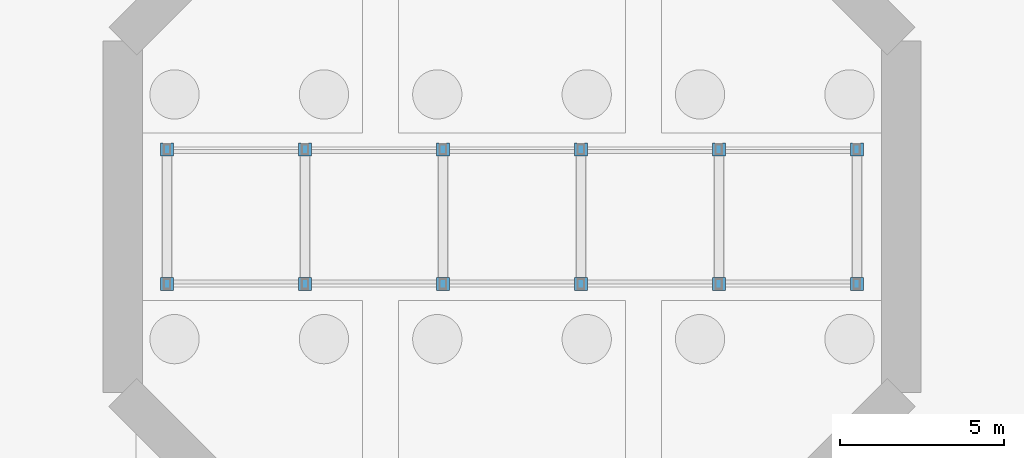
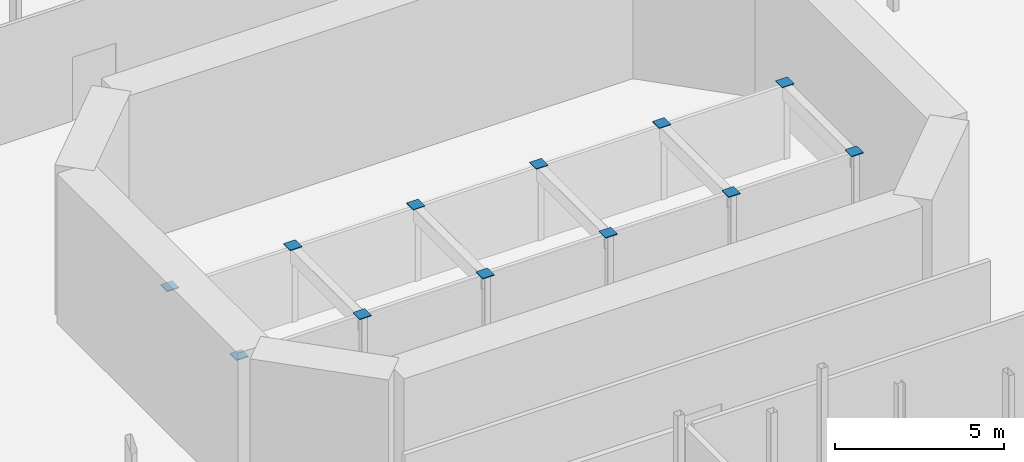
# One storey, part 27 of 33: 12 discrete accessories.
"""IFC4 building model written with IfcOpenShell, lengths in metres."""

from ifc_helpers import new_model, si_unit, direction, frame, origin, origin_2d, place, context, subcontext, project, spatial, rectangle, extrude, material, type_object, element, save


model = new_model("IFC4")

# Units and contexts
model_context = context("Model", 3, precision=1e-05, world=origin(), true_north=direction((0.0, 1.0)))
body_context = subcontext(model_context, "Body", "Model", "MODEL_VIEW")
ifc_project = project(units=[si_unit("LENGTHUNIT", "METRE"), si_unit("AREAUNIT", "SQUARE_METRE"), si_unit("VOLUMEUNIT", "CUBIC_METRE"), si_unit("PLANEANGLEUNIT", "RADIAN"), si_unit("MASSUNIT", "GRAM", prefix="KILO")], contexts=[model_context])

# Site, building, storey
site_placement = place(None, origin())
site = spatial("IfcSite", under=ifc_project, at=site_placement, CompositionType="ELEMENT")
building_placement = place(site_placement, origin())
building = spatial("IfcBuilding", under=site, at=building_placement, Name="Brisemont Oceanarium", CompositionType="ELEMENT")
storey_placement = place(building_placement, frame((0.0, 0.0, -5.39990234375)))
storey = spatial("IfcBuildingStorey", under=building, at=storey_placement, Name="B01", CompositionType="ELEMENT", Elevation=-5.39990234375)

# Discrete accessories
ifc_material = material(Name="Structural Steel ASTM A572 Gr.50", Category="steel")
discrete_accessory_type = type_object("IfcDiscreteAccessoryType", Name="ACC-CAP-STL", PredefinedType="ANCHORPLATE", material=ifc_material)
for number, where, z_axis, x_axis, name in (
    (1, (73.5, 53.949951171875, 2.6396484375), (0.0, 0.0, 1.0), (1.0, 0.0, 0.0), "Walkthrough tunnel portal post welded end cap 1S"),
    (2, (73.5, 58.050048828125, 2.6396484375), (0.0, 0.0, 1.0), (1.0, 0.0, 0.0), "Walkthrough tunnel portal post welded end cap 1N"),
    (3, (77.699951171875, 53.949951171875, 2.6396484375), (0.0, 0.0, 1.0), (1.0, 0.0, 0.0), "Walkthrough tunnel portal post welded end cap 2S"),
    (4, (77.699951171875, 58.050048828125, 2.6396484375), (0.0, 0.0, 1.0), (1.0, 0.0, 0.0), "Walkthrough tunnel portal post welded end cap 2N"),
    (5, (81.89990234375, 53.949951171875, 2.6396484375), (0.0, 0.0, 1.0), (1.0, 0.0, 0.0), "Walkthrough tunnel portal post welded end cap 3S"),
    (6, (81.89990234375, 58.050048828125, 2.6396484375), (0.0, 0.0, 1.0), (1.0, 0.0, 0.0), "Walkthrough tunnel portal post welded end cap 3N"),
    (7, (86.10009765625, 53.949951171875, 2.6396484375), (0.0, 0.0, 1.0), (1.0, 0.0, 0.0), "Walkthrough tunnel portal post welded end cap 4S"),
    (8, (86.10009765625, 58.050048828125, 2.6396484375), (0.0, 0.0, 1.0), (1.0, 0.0, 0.0), "Walkthrough tunnel portal post welded end cap 4N"),
    (9, (90.300048828125, 53.949951171875, 2.6396484375), (0.0, 0.0, 1.0), (1.0, 0.0, 0.0), "Walkthrough tunnel portal post welded end cap 5S"),
    (10, (90.300048828125, 58.050048828125, 2.6396484375), (0.0, 0.0, 1.0), (1.0, 0.0, 0.0), "Walkthrough tunnel portal post welded end cap 5N"),
    (11, (94.5, 53.949951171875, 2.6396484375), (0.0, 0.0, 1.0), (1.0, 0.0, 0.0), "Walkthrough tunnel portal post welded end cap 6S"),
    (12, (94.5, 58.050048828125, 2.6396484375), (0.0, 0.0, 1.0), (1.0, 0.0, 0.0), "Walkthrough tunnel portal post welded end cap 6N"),
):
    element("IfcDiscreteAccessory", number, at=place(storey_placement, frame(where, z_axis=z_axis, x_axis=x_axis)), inside=storey, type_object=discrete_accessory_type, Name=name, PredefinedType="ANCHORPLATE", context=body_context, shape_type="SweptSolid", body=[
        extrude(rectangle(XDim=0.39990234375, YDim=0.39990234375, at=origin_2d()), origin(), (0.0, 0.0, 1.0), 0.030029296875),
    ])

save(model, "model.ifc")
